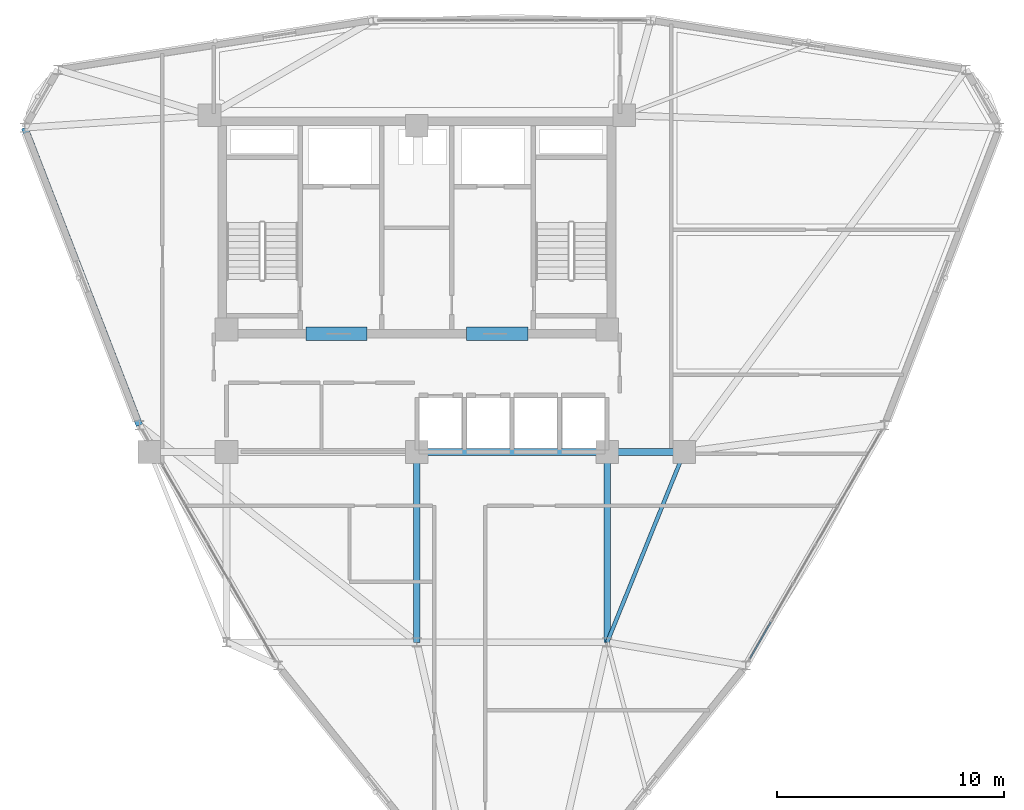
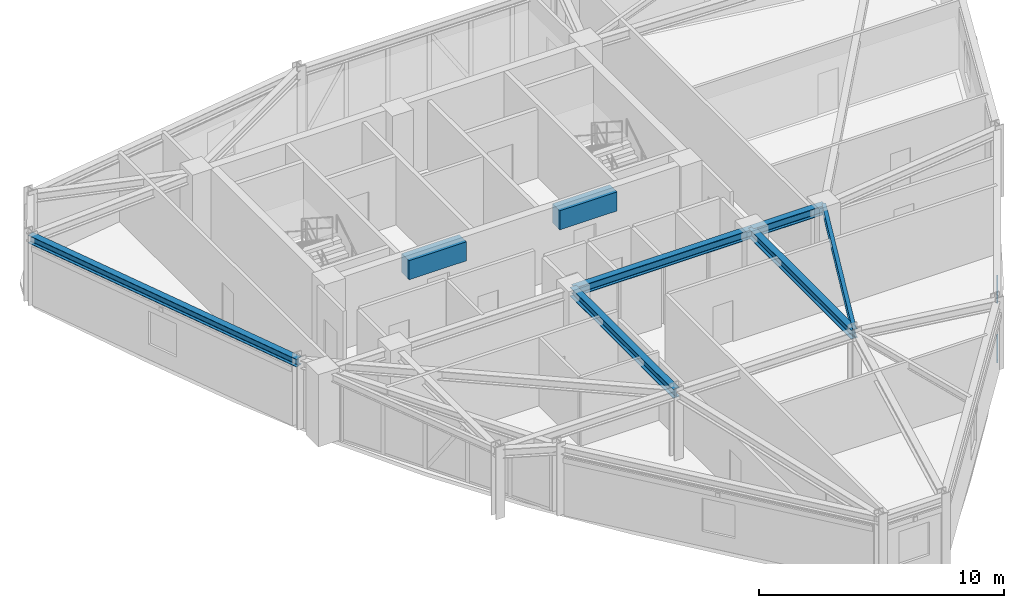
# One storey, part 6 of 16: 8 beams, 2 members, 1 element without a shape of its own.
"""IFC4 building model written with IfcOpenShell, lengths in metres."""

from ifc_helpers import new_model, si_unit, derived_unit, direction, frame, origin, origin_2d, place, context, subcontext, project, spatial, rectangle, hollow_rectangle, i_section, extrude, source, transform, mapped, material, layer, layer_set, material_profile, profile_set, type_object, element, aggregate, save


model = new_model("IFC4")

# Units and contexts
model_context = context("Model", 3, precision=1e-05, world=origin(), true_north=direction((0.0, 1.0)))
body_context = subcontext(model_context, "Body", "Model", "MODEL_VIEW")
ifc_project = project(units=[si_unit("LENGTHUNIT", "METRE"), si_unit("AREAUNIT", "SQUARE_METRE"), si_unit("VOLUMEUNIT", "CUBIC_METRE"), si_unit("PLANEANGLEUNIT", "RADIAN"), si_unit("MASSUNIT", "GRAM", prefix="KILO"), derived_unit("THERMALTRANSMITTANCEUNIT", [(si_unit("POWERUNIT", "WATT"), 1), (si_unit("LENGTHUNIT", "METRE"), -2), (si_unit("THERMODYNAMICTEMPERATUREUNIT", "KELVIN"), -1)])], contexts=[model_context])

# Site, building, storey
site_placement = place(None, origin())
site = spatial("IfcSite", under=ifc_project, at=site_placement, CompositionType="ELEMENT")
building_placement = place(site_placement, origin())
building = spatial("IfcBuilding", under=site, at=building_placement, Name="Korsvarv Bourse and Concert Hall", CompositionType="ELEMENT")
storey_placement = place(building_placement, frame((0.0, 0.0, 216.60009765625)))
storey = spatial("IfcBuildingStorey", under=building, at=storey_placement, Name="L56", CompositionType="ELEMENT", Elevation=216.60009765625)

# Beams
ifc_material_1 = material(Name="Concrete C55/67", Category="concrete")
ifc_material_profile_1 = material_profile(ifc_material_1, rectangle(XDim=0.60009765625, YDim=0.949951171875, at=origin_2d()), Name="RC-BM 600x950")
ifc_profile_set_1 = profile_set([ifc_material_profile_1], Name="Concrete C55/67")
beam_type_1 = type_object("IfcBeamType", Name="BM-CPL", PredefinedType="LINTEL", material=ifc_profile_set_1)
shared_shape_1 = source(origin(), body_context, "Body", "SweptSolid", [
    extrude(rectangle(XDim=0.60009765625, YDim=0.949951171875, at=origin_2d()), origin(), (0.0, 0.0, 1.0), 2.699951171875),
])
for number, where, z_axis, x_axis, name in (
    (1, (31.10009765625, 37.610107421875, 2.934814453125), (1.0, 0.0, 0.0), (0.0, 1.0, 0.0), "L56 Core Coupling Beam West"),
    (2, (38.199951171875, 37.610107421875, 2.934814453125), (1.0, 0.0, 0.0), (0.0, 1.0, 0.0), "L56 Core Coupling Beam East"),
):
    element("IfcBeam", number, at=place(storey_placement, frame(where, z_axis=z_axis, x_axis=x_axis)), inside=storey, type_object=beam_type_1, Name=name, PredefinedType="LINTEL", context=body_context, shape_type="MappedRepresentation", body=[
        mapped(shared_shape_1, transform((0.0, 0.0, 0.0), scale=1.0)),
    ])
ifc_material_2 = material(Name="Steel S355", Category="steel")
ifc_material_profile_2 = material_profile(ifc_material_2, i_section(OverallWidth=0.169921875, OverallDepth=0.360107421875, WebThickness=0.008056640625, FlangeThickness=0.0126953125, FilletRadius=0.01806640625, at=origin_2d()), Name="IPE 360")
ifc_profile_set_2 = profile_set([ifc_material_profile_2], Name="Steel S355")
beam_type_2 = type_object("IfcBeamType", Name="BM-IPE360", PredefinedType="JOIST", material=ifc_profile_set_2)
shared_shape_2 = source(origin(), body_context, "Body", "SweptSolid", [
    extrude(i_section(OverallWidth=0.169921875, OverallDepth=0.360107421875, WebThickness=0.008056640625, FlangeThickness=0.0126953125, FilletRadius=0.01806640625, at=origin_2d()), origin(), (0.0, 0.0, 1.0), 9.06201171875),
])
beam_1_placement = place(storey_placement, frame((47.800048828125, 32.39990234375, 3.22998046875), z_axis=(-0.375210394783, -0.926939674222, 0.0), x_axis=(0.926939674222, -0.375210394783, 0.0)))
element("IfcBeam", 3, at=beam_1_placement, inside=storey, type_object=beam_type_2, Name="L56 beam J-06", PredefinedType="JOIST", context=body_context, shape_type="MappedRepresentation", body=[
    mapped(shared_shape_2, transform((0.0, 0.0, 0.0), scale=1.0)),
])
ifc_material_profile_3 = material_profile(ifc_material_2, i_section(OverallWidth=0.300048828125, OverallDepth=0.449951171875, WebThickness=0.013916015625, FlangeThickness=0.02587890625, FilletRadius=0.02099609375, at=origin_2d()), Name="HEB 450")
ifc_profile_set_3 = profile_set([ifc_material_profile_3], Name="Steel S355")
beam_type_3 = type_object("IfcBeamType", Name="BM-HEB450", PredefinedType="SPANDREL", material=ifc_profile_set_3)
shared_shape_3 = source(origin(), body_context, "Body", "SweptSolid", [
    extrude(i_section(OverallWidth=0.300048828125, OverallDepth=0.449951171875, WebThickness=0.013916015625, FlangeThickness=0.02587890625, FilletRadius=0.02099609375, at=origin_2d()), origin(), (0.0, 0.0, 1.0), 3.400146484375),
])
beam_2_placement = place(storey_placement, frame((44.39990234375, 32.39990234375, 3.184814453125), z_axis=(1.0, 0.0, 0.0), x_axis=(0.0, 1.0, 0.0)))
element("IfcBeam", 4, at=beam_2_placement, inside=storey, type_object=beam_type_3, Name="L56 beam B-08", PredefinedType="SPANDREL", context=body_context, shape_type="MappedRepresentation", body=[
    mapped(shared_shape_3, transform((0.0, 0.0, 0.0), scale=1.0)),
])
shared_shape_4 = source(origin(), body_context, "Body", "SweptSolid", [
    extrude(i_section(OverallWidth=0.300048828125, OverallDepth=0.449951171875, WebThickness=0.013916015625, FlangeThickness=0.02587890625, FilletRadius=0.02099609375, at=origin_2d()), origin(), (0.0, 0.0, 1.0), 8.39990234375),
])
for number, where, z_axis, x_axis, name in (
    (5, (36.0, 32.39990234375, 3.184814453125), (1.0, 0.0, 0.0), (0.0, 1.0, 0.0), "L56 beam B-08"),
    (6, (36.0, 24.0, 3.184814453125), (0.0, 1.0, 0.0), (-1.0, 0.0, 0.0), "L56 beam B-08"),
    (7, (44.39990234375, 24.0, 3.184814453125), (0.0, 1.0, 0.0), (-1.0, 0.0, 0.0), "L56 beam B-08"),
):
    element("IfcBeam", number, at=place(storey_placement, frame(where, z_axis=z_axis, x_axis=x_axis)), inside=storey, type_object=beam_type_3, Name=name, PredefinedType="SPANDREL", context=body_context, shape_type="MappedRepresentation", body=[
        mapped(shared_shape_4, transform((0.0, 0.0, 0.0), scale=1.0)),
    ])
ifc_material_profile_4 = material_profile(ifc_material_2, i_section(OverallWidth=0.300048828125, OverallDepth=0.389892578125, WebThickness=0.010986328125, FlangeThickness=0.01904296875, FilletRadius=0.02099609375, at=origin_2d()), Name="HEA 400")
ifc_profile_set_4 = profile_set([ifc_material_profile_4], Name="Steel S355")
beam_type_4 = type_object("IfcBeamType", Name="BM-HEA400", PredefinedType="BEAM", material=ifc_profile_set_4)
shared_shape_5 = source(origin(), body_context, "Body", "SweptSolid", [
    extrude(i_section(OverallWidth=0.300048828125, OverallDepth=0.389892578125, WebThickness=0.010986328125, FlangeThickness=0.01904296875, FilletRadius=0.02099609375, at=origin_2d()), origin(), (0.0, 0.0, 1.0), 14.077880859375),
])
beam_3_placement = place(storey_placement, frame((18.69287109375, 46.70849609375, 3.21484375), z_axis=(0.359967818551, -0.932964720452, 0.0), x_axis=(0.932964720452, 0.359967818551, 0.0)))
element("IfcBeam", 8, at=beam_3_placement, inside=storey, type_object=beam_type_4, Name="L56 beam B-11", PredefinedType="BEAM", context=body_context, shape_type="MappedRepresentation", body=[
    mapped(shared_shape_5, transform((0.0, 0.0, 0.0), scale=1.0)),
])

# Curtain wall, members
ifc_material_3 = material(Name="Anodised aluminium and triple low-E glazing", Category="glass")
ifc_layer = layer(ifc_material_3, 0.199951171875)
ifc_layer_set = layer_set([ifc_layer], Name="Anodised aluminium and triple low-E glazing")
curtain_wall_type = type_object("IfcCurtainWallType", Name="CW-SYS-3", PredefinedType="NOTDEFINED", material=ifc_layer_set)
curtain_wall_placement = place(storey_placement, origin())
curtain_wall = element("IfcCurtainWall", 9, at=curtain_wall_placement, inside=storey, type_object=curtain_wall_type, Name="L56 CW3 curtain wall CW-L56-F11", PredefinedType="NOTDEFINED")
ifc_material_4 = material(Name="Extruded aluminium EN AW-6063 T66", Category="aluminium")
ifc_material_profile_5 = material_profile(ifc_material_4, hollow_rectangle(XDim=0.06494140625, YDim=0.139892578125, WallThickness=0.00390625, at=origin_2d()), Name="ALU-T 65x140")
ifc_profile_set_5 = profile_set([ifc_material_profile_5], Name="Extruded aluminium EN AW-6063 T66")
member_type = type_object("IfcMemberType", Name="CWT-140", PredefinedType="USERDEFINED", material=ifc_profile_set_5)
shared_shape_6 = source(origin(), body_context, "Body", "SweptSolid", [
    extrude(hollow_rectangle(XDim=0.06494140625, YDim=0.139892578125, WallThickness=0.00390625, at=origin_2d()), origin(), (0.0, 0.0, 1.0), 1.83544921875),
])
member_1_placement = place(storey_placement, frame((50.70458984375, 23.29443359375, 0.032470703125), z_axis=(0.499987270552, 0.86603275301, 0.0), x_axis=(-0.86603275301, 0.499987270552, 0.0)))
member_1 = element("IfcMember", 10, at=member_1_placement, type_object=member_type, Name="CW3 transom 1.1", ObjectType="TRANSOM", PredefinedType="USERDEFINED", context=body_context, shape_type="MappedRepresentation", body=[
    mapped(shared_shape_6, transform((0.0, 0.0, 0.0), scale=1.0)),
])
member_2_placement = place(storey_placement, frame((50.70458984375, 23.29443359375, 2.9873046875), z_axis=(0.499987270552, 0.86603275301, 0.0), x_axis=(-0.86603275301, 0.499987270552, 0.0)))
member_2 = element("IfcMember", 11, at=member_2_placement, type_object=member_type, Name="CW3 transom 1.2", ObjectType="TRANSOM", PredefinedType="USERDEFINED", context=body_context, shape_type="MappedRepresentation", body=[
    mapped(shared_shape_6, transform((0.0, 0.0, 0.0), scale=1.0)),
])
aggregate(curtain_wall, [member_1, member_2])

save(model, "model.ifc")
